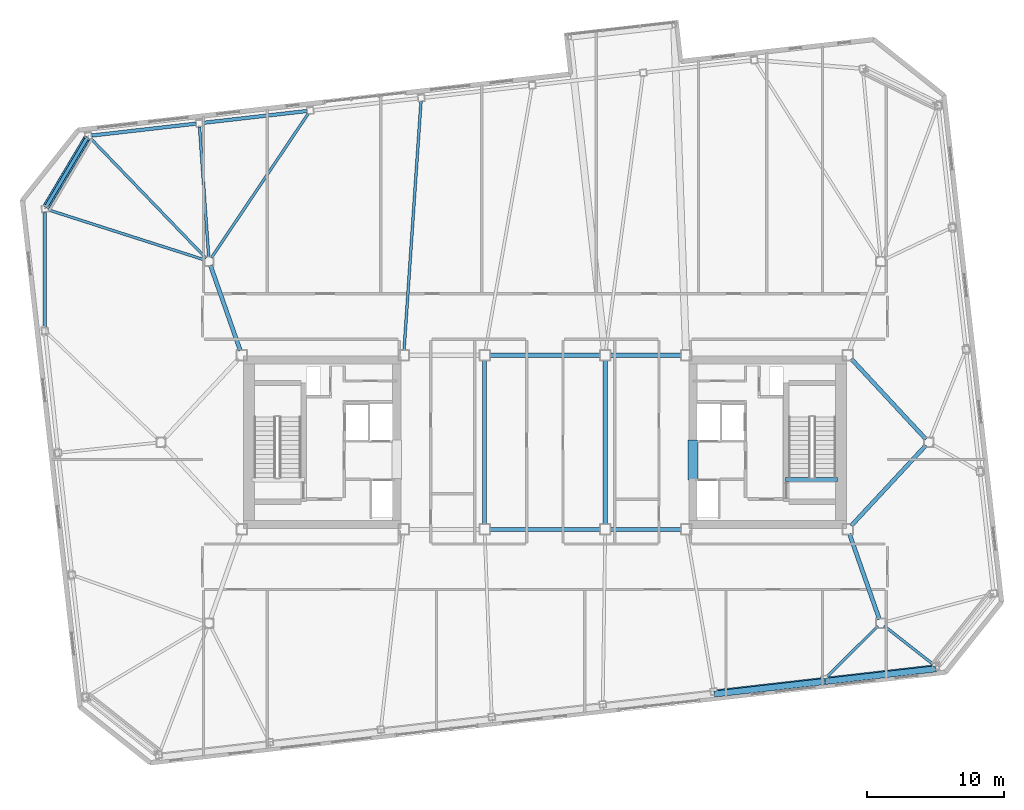
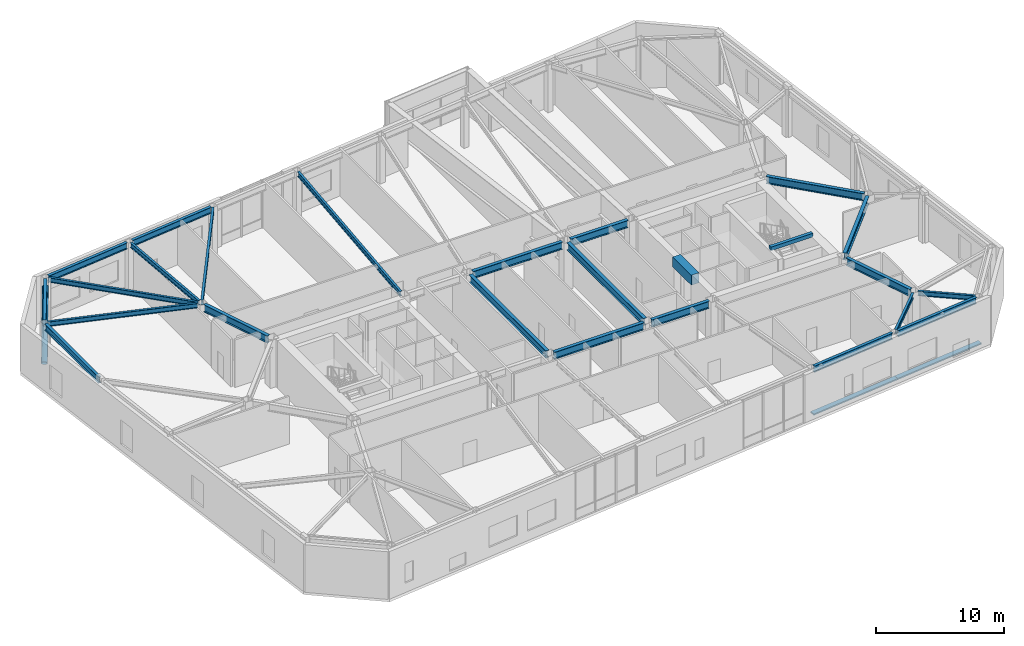
# One storey, part 9 of 21: 25 beams, 3 members.
"""IFC4 building model written with IfcOpenShell, lengths in metres."""

from ifc_helpers import new_model, si_unit, direction, frame, origin, origin_2d, place, context, subcontext, project, spatial, rectangle, hollow_circle, i_section, extrude, material, material_profile, profile_set, type_object, element, save


model = new_model("IFC4")

# Units and contexts
model_context = context("Model", 3, precision=1e-05, world=origin(), true_north=direction((0.0, 1.0)))
body_context = subcontext(model_context, "Body", "Model", "MODEL_VIEW")
ifc_project = project(units=[si_unit("LENGTHUNIT", "METRE"), si_unit("AREAUNIT", "SQUARE_METRE"), si_unit("VOLUMEUNIT", "CUBIC_METRE"), si_unit("PLANEANGLEUNIT", "RADIAN"), si_unit("MASSUNIT", "GRAM", prefix="KILO")], contexts=[model_context])

# Site, building, storey
site_placement = place(None, origin())
site = spatial("IfcSite", under=ifc_project, at=site_placement, CompositionType="ELEMENT")
building_placement = place(site_placement, origin())
building = spatial("IfcBuilding", under=site, at=building_placement, Name="Tavrogorsk Clinical Tower", CompositionType="ELEMENT")
storey_placement = place(building_placement, frame((0.0, 0.0, 238.199951171875)))
storey = spatial("IfcBuildingStorey", under=building, at=storey_placement, Name="L55", CompositionType="ELEMENT", Elevation=238.199951171875)

# Members
ifc_material_1 = material(Name="Anodised aluminium alloy AW-6063", Category="aluminium")
ifc_material_profile_1 = material_profile(ifc_material_1, rectangle(XDim=0.449951171875, YDim=0.1201171875, at=origin_2d()), Name="ALU-SUNSHADE-450x120")
ifc_profile_set_1 = profile_set([ifc_material_profile_1], Name="Anodised aluminium alloy AW-6063")
member_type_1 = type_object("IfcMemberType", Name="ChicagoSunshade_450x120", PredefinedType="USERDEFINED", material=ifc_profile_set_1)
for number, where, z_axis, x_axis, name in (
    (1, (12.336669921875, -18.369140625, 0.179931640625), (0.99356960656, 0.11322295227, 0.0), (-0.11322295227, 0.99356960656, 0.0), "L55 South Aluminium Sunshade S6"),
    (2, (20.432861328125, -17.446533203125, 0.179931640625), (0.9935729766, 0.113193375116, 0.0), (-0.113193375116, 0.9935729766, 0.0), "L55 South Aluminium Sunshade S7"),
):
    element("IfcMember", number, at=place(storey_placement, frame(where, z_axis=z_axis, x_axis=x_axis)), inside=storey, type_object=member_type_1, Name=name, ObjectType="SUNSHADE", PredefinedType="USERDEFINED", context=body_context, shape_type="SweptSolid", body=[
        extrude(rectangle(XDim=0.449951171875, YDim=0.1201171875, at=origin_2d()), origin(), (0.0, 0.0, 1.0), 8.148681640625),
    ])

# Beam
ifc_material_2 = material(Name="Concrete B80", Category="concrete")
ifc_material_profile_2 = material_profile(ifc_material_2, rectangle(XDim=0.699951171875, YDim=0.949951171875, at=origin_2d()), Name="RC-CB-700x950")
ifc_profile_set_2 = profile_set([ifc_material_profile_2], Name="Concrete B80")
beam_type_1 = type_object("IfcBeamType", Name="CouplingBeam_RC700x950", PredefinedType="LINTEL", material=ifc_profile_set_2)
beam_1_placement = place(storey_placement, frame((10.800048828125, -2.75, 4.06494140625), z_axis=(0.0, 1.0, 0.0), x_axis=(-1.0, 0.0, 0.0)))
element("IfcBeam", 3, at=beam_1_placement, inside=storey, type_object=beam_type_1, Name="L55 Core East Coupling Beam", PredefinedType="LINTEL", context=body_context, shape_type="SweptSolid", body=[
    extrude(rectangle(XDim=0.699951171875, YDim=0.949951171875, at=origin_2d()), origin(), (0.0, 0.0, 1.0), 2.89990234375),
])

# Member
ifc_material_3 = material(Name="Structural steel S440", Category="steel")
ifc_material_profile_3 = material_profile(ifc_material_3, hollow_circle(Radius=0.25390625, WallThickness=0.02001953125, at=origin_2d()), Name="CHS-508x20")
ifc_profile_set_3 = profile_set([ifc_material_profile_3], Name="Structural steel S440")
member_type_2 = type_object("IfcMemberType", Name="ExoBrace_CHS508", PredefinedType="BRACE", material=ifc_profile_set_3)
member_placement = place(storey_placement, frame((-36.35595703125, 17.224609375, 0.4296875), z_axis=(0.442252076648, 0.74312336042, 0.502176036763), x_axis=(-0.859335196558, 0.511412768668, 0.0)))
element("IfcMember", 4, at=member_placement, inside=storey, type_object=member_type_2, Name="L55 Corner Exoskeleton Brace N8-W1", PredefinedType="BRACE", context=body_context, shape_type="SweptSolid", body=[
    extrude(hollow_circle(Radius=0.25390625, WallThickness=0.02001953125, at=origin_2d()), origin(), (0.0, 0.0, 1.0), 6.6328125),
])

# Beams
ifc_material_4 = material(Name="Structural steel S355", Category="steel")
ifc_material_profile_4 = material_profile(ifc_material_4, i_section(OverallWidth=0.199951171875, OverallDepth=0.449951171875, WebThickness=0.011474609375, FlangeThickness=0.01806640625, at=origin_2d()), Name="B-450x200x11.5x18")
ifc_profile_set_4 = profile_set([ifc_material_profile_4], Name="Structural steel S355")
beam_type_2 = type_object("IfcBeamType", Name="FloorBeam_B450", PredefinedType="BEAM", material=ifc_profile_set_4)
beam_2_placement = place(storey_placement, frame((24.2802734375, -13.418701171875, 4.31494140625), z_axis=(-0.708842234901, -0.705367057652, 0.0), x_axis=(0.705367057652, -0.708842234901, 0.0)))
element("IfcBeam", 5, at=beam_2_placement, inside=storey, type_object=beam_type_2, Name="L55 Radial Floor Beam S7", PredefinedType="BEAM", context=body_context, shape_type="SweptSolid", body=[
    extrude(i_section(OverallWidth=0.199951171875, OverallDepth=0.449951171875, WebThickness=0.011474609375, FlangeThickness=0.01806640625, at=origin_2d()), origin(), (0.0, 0.0, 1.0), 5.19873046875),
])
beam_3_placement = place(storey_placement, frame((24.743896484375, -13.391357421875, 4.31494140625), z_axis=(0.786731711527, -0.617295078611, 0.0), x_axis=(0.617295078611, 0.786731711527, 0.0)))
element("IfcBeam", 6, at=beam_3_placement, inside=storey, type_object=beam_type_2, Name="L55 Radial Floor Beam S8", PredefinedType="BEAM", context=body_context, shape_type="SweptSolid", body=[
    extrude(i_section(OverallWidth=0.199951171875, OverallDepth=0.449951171875, WebThickness=0.011474609375, FlangeThickness=0.01806640625, at=origin_2d()), origin(), (0.0, 0.0, 1.0), 4.52734375),
])
beam_4_placement = place(storey_placement, frame((-10.275390625, 6.709228515625, 4.31494140625), z_axis=(0.068054861188, 0.9976815804, 0.0), x_axis=(-0.9976815804, 0.068054861188, 0.0)))
element("IfcBeam", 7, at=beam_4_placement, inside=storey, type_object=beam_type_2, Name="L55 Radial Floor Beam N5", PredefinedType="BEAM", context=body_context, shape_type="SweptSolid", body=[
    extrude(i_section(OverallWidth=0.199951171875, OverallDepth=0.449951171875, WebThickness=0.011474609375, FlangeThickness=0.01806640625, at=origin_2d()), origin(), (0.0, 0.0, 1.0), 18.188232421875),
])
beam_5_placement = place(storey_placement, frame((-24.3271484375, 13.457275390625, 4.31494140625), z_axis=(0.557666552953, 0.830065067159, 0.0), x_axis=(-0.830065067159, 0.557666552953, 0.0)))
element("IfcBeam", 8, at=beam_5_placement, inside=storey, type_object=beam_type_2, Name="L55 Radial Floor Beam N6", PredefinedType="BEAM", context=body_context, shape_type="SweptSolid", body=[
    extrude(i_section(OverallWidth=0.199951171875, OverallDepth=0.449951171875, WebThickness=0.011474609375, FlangeThickness=0.01806640625, at=origin_2d()), origin(), (0.0, 0.0, 1.0), 12.67236328125),
])
beam_6_placement = place(storey_placement, frame((-24.52197265625, 13.50927734375, 4.31494140625), z_axis=(-0.070563956086, 0.997507257167, 0.0), x_axis=(-0.997507257167, -0.070563956086, 0.0)))
element("IfcBeam", 9, at=beam_6_placement, inside=storey, type_object=beam_type_2, Name="L55 Radial Floor Beam N7", PredefinedType="BEAM", context=body_context, shape_type="SweptSolid", body=[
    extrude(i_section(OverallWidth=0.199951171875, OverallDepth=0.449951171875, WebThickness=0.011474609375, FlangeThickness=0.01806640625, at=origin_2d()), origin(), (0.0, 0.0, 1.0), 9.52490234375),
])
beam_7_placement = place(storey_placement, frame((-24.715087890625, 13.42333984375, 4.31494140625), z_axis=(-0.69371826835, 0.720246460704, 0.0), x_axis=(-0.720246460704, -0.69371826835, 0.0)))
element("IfcBeam", 10, at=beam_7_placement, inside=storey, type_object=beam_type_2, Name="L55 Radial Floor Beam N8", PredefinedType="BEAM", context=body_context, shape_type="SweptSolid", body=[
    extrude(i_section(OverallWidth=0.199951171875, OverallDepth=0.449951171875, WebThickness=0.011474609375, FlangeThickness=0.01806640625, at=origin_2d()), origin(), (0.0, 0.0, 1.0), 12.129638671875),
])
beam_8_placement = place(storey_placement, frame((-24.795166015625, 13.29443359375, 4.31494140625), z_axis=(-0.952367912824, 0.304951403709, 0.0), x_axis=(-0.304951403709, -0.952367912824, 0.0)))
element("IfcBeam", 11, at=beam_8_placement, inside=storey, type_object=beam_type_2, Name="L55 Radial Floor Beam W1", PredefinedType="BEAM", context=body_context, shape_type="SweptSolid", body=[
    extrude(i_section(OverallWidth=0.199951171875, OverallDepth=0.449951171875, WebThickness=0.011474609375, FlangeThickness=0.01806640625, at=origin_2d()), origin(), (0.0, 0.0, 1.0), 12.000732421875),
])
ifc_material_5 = material(Name="Structural steel S390", Category="steel")
ifc_material_profile_5 = material_profile(ifc_material_5, i_section(OverallWidth=0.300048828125, OverallDepth=0.699951171875, WebThickness=0.01708984375, FlangeThickness=0.028076171875, at=origin_2d()), Name="B-700x300x17x28")
ifc_profile_set_5 = profile_set([ifc_material_profile_5], Name="Structural steel S390")
beam_type_3 = type_object("IfcBeamType", Name="PrimaryGirder_B700", PredefinedType="USERDEFINED", material=ifc_profile_set_5)
for number, where, z_axis, x_axis, name in (
    (12, (-4.0400390625, -6.35009765625, 4.18994140625), (1.0, 0.0, 0.0), (0.0, 1.0, 0.0), "L55 Primary Spine Girder MG-03"),
    (13, (-4.0400390625, 6.35009765625, 4.18994140625), (1.0, 0.0, 0.0), (0.0, 1.0, 0.0), "L55 Primary Spine Girder MG-04"),
):
    element("IfcBeam", number, at=place(storey_placement, frame(where, z_axis=z_axis, x_axis=x_axis)), inside=storey, type_object=beam_type_3, Name=name, ObjectType="GIRDER", PredefinedType="USERDEFINED", context=body_context, shape_type="SweptSolid", body=[
        extrude(i_section(OverallWidth=0.300048828125, OverallDepth=0.699951171875, WebThickness=0.01708984375, FlangeThickness=0.028076171875, at=origin_2d()), origin(), (0.0, 0.0, 1.0), 8.080078125),
    ])
for number, where, z_axis, x_axis, name in (
    (14, (4.760009765625, -6.35009765625, 4.18994140625), (1.0, 0.0, 0.0), (0.0, 1.0, 0.0), "L55 Primary Spine Girder MG-05"),
    (15, (4.760009765625, 6.35009765625, 4.18994140625), (1.0, 0.0, 0.0), (0.0, 1.0, 0.0), "L55 Primary Spine Girder MG-06"),
):
    element("IfcBeam", number, at=place(storey_placement, frame(where, z_axis=z_axis, x_axis=x_axis)), inside=storey, type_object=beam_type_3, Name=name, ObjectType="GIRDER", PredefinedType="USERDEFINED", context=body_context, shape_type="SweptSolid", body=[
        extrude(i_section(OverallWidth=0.300048828125, OverallDepth=0.699951171875, WebThickness=0.01708984375, FlangeThickness=0.028076171875, at=origin_2d()), origin(), (0.0, 0.0, 1.0), 5.179931640625),
    ])
for number, where, z_axis, x_axis, name in (
    (16, (-4.39990234375, -5.989990234375, 4.18994140625), (0.0, 1.0, 0.0), (-1.0, 0.0, 0.0), "L55 Primary Spine Girder MG-07"),
    (17, (4.39990234375, -5.989990234375, 4.18994140625), (0.0, 1.0, 0.0), (-1.0, 0.0, 0.0), "L55 Primary Spine Girder MG-08"),
):
    element("IfcBeam", number, at=place(storey_placement, frame(where, z_axis=z_axis, x_axis=x_axis)), inside=storey, type_object=beam_type_3, Name=name, ObjectType="GIRDER", PredefinedType="USERDEFINED", context=body_context, shape_type="SweptSolid", body=[
        extrude(i_section(OverallWidth=0.300048828125, OverallDepth=0.699951171875, WebThickness=0.01708984375, FlangeThickness=0.028076171875, at=origin_2d()), origin(), (0.0, 0.0, 1.0), 11.97998046875),
    ])
for number, where, z_axis, x_axis, name in (
    (18, (24.3974609375, -12.907470703125, 4.18994140625), (-0.330654121425, 0.943752007672, 0.0), (-0.943752007672, -0.330654121425, 0.0), "L55 Spine Link Girder OPG-2"),
    (19, (-24.3974609375, 12.907470703125, 4.18994140625), (0.330654121425, -0.943752007672, 0.0), (0.943752007672, 0.330654121425, 0.0), "L55 Spine Link Girder OPG-3"),
):
    element("IfcBeam", number, at=place(storey_placement, frame(where, z_axis=z_axis, x_axis=x_axis)), inside=storey, type_object=beam_type_3, Name=name, ObjectType="GIRDER", PredefinedType="USERDEFINED", context=body_context, shape_type="SweptSolid", body=[
        extrude(i_section(OverallWidth=0.300048828125, OverallDepth=0.699951171875, WebThickness=0.01708984375, FlangeThickness=0.028076171875, at=origin_2d()), origin(), (0.0, 0.0, 1.0), 6.58837890625),
    ])
for number, where, z_axis, x_axis, name in (
    (20, (27.7890625, -0.22705078125, 4.18994140625), (-0.680684060959, -0.732577101168, 0.0), (0.732577101168, -0.680684060959, 0.0), "L55 Spine Link Girder OPG-7"),
    (21, (27.7890625, 0.22705078125, 4.18994140625), (-0.680684060959, 0.732577101168, 0.0), (-0.732577101168, -0.680684060959, 0.0), "L55 Spine Link Girder OPG-8"),
):
    element("IfcBeam", number, at=place(storey_placement, frame(where, z_axis=z_axis, x_axis=x_axis)), inside=storey, type_object=beam_type_3, Name=name, ObjectType="GIRDER", PredefinedType="USERDEFINED", context=body_context, shape_type="SweptSolid", body=[
        extrude(i_section(OverallWidth=0.300048828125, OverallDepth=0.699951171875, WebThickness=0.01708984375, FlangeThickness=0.028076171875, at=origin_2d()), origin(), (0.0, 0.0, 1.0), 7.998046875),
    ])
ifc_material_6 = material(Name="Structural steel S390", Category="steel")
ifc_material_profile_6 = material_profile(ifc_material_6, i_section(OverallWidth=0.260009765625, OverallDepth=0.60009765625, WebThickness=0.014892578125, FlangeThickness=0.02392578125, at=origin_2d()), Name="B-600x260x15x24")
ifc_profile_set_6 = profile_set([ifc_material_profile_6], Name="Structural steel S390")
beam_type_4 = type_object("IfcBeamType", Name="SpandrelBeam_B600", PredefinedType="SPANDREL", material=ifc_profile_set_6)
beam_9_placement = place(storey_placement, frame((12.57275390625, -18.1611328125, 4.239990234375), z_axis=(0.993571689921, 0.113204668576, 0.0), x_axis=(-0.113204668576, 0.993571689921, 0.0)))
element("IfcBeam", 22, at=beam_9_placement, inside=storey, type_object=beam_type_4, Name="L55 Perimeter Spandrel S6-S7", PredefinedType="SPANDREL", context=body_context, shape_type="SweptSolid", body=[
    extrude(i_section(OverallWidth=0.260009765625, OverallDepth=0.60009765625, WebThickness=0.014892578125, FlangeThickness=0.02392578125, at=origin_2d()), origin(), (0.0, 0.0, 1.0), 7.63232421875),
])
for number, where, z_axis, x_axis, name in (
    (23, (20.668701171875, -17.238525390625, 4.239990234375), (0.993572099834, 0.113201070804, 0.0), (-0.113201070804, 0.993572099834, 0.0), "L55 Perimeter Spandrel S7-S8"),
    (24, (-17.37255859375, 24.1611328125, 4.239990234375), (-0.993572099834, -0.113201070804, 0.0), (0.113201070804, -0.993572099834, 0.0), "L55 Perimeter Spandrel N6-N7"),
    (25, (-25.46875, 23.238525390625, 4.239990234375), (-0.993572099834, -0.113201070804, 0.0), (0.113201070804, -0.993572099834, 0.0), "L55 Perimeter Spandrel N7-N8"),
):
    element("IfcBeam", number, at=place(storey_placement, frame(where, z_axis=z_axis, x_axis=x_axis)), inside=storey, type_object=beam_type_4, Name=name, PredefinedType="SPANDREL", context=body_context, shape_type="SweptSolid", body=[
        extrude(i_section(OverallWidth=0.260009765625, OverallDepth=0.60009765625, WebThickness=0.014892578125, FlangeThickness=0.02392578125, at=origin_2d()), origin(), (0.0, 0.0, 1.0), 7.632568359375),
    ])
beam_10_placement = place(storey_placement, frame((-33.4404296875, 22.123779296875, 4.239990234375), z_axis=(-0.51140659222, -0.859338872293, 0.0), x_axis=(0.859338872293, -0.51140659222, 0.0)))
element("IfcBeam", 26, at=beam_10_placement, inside=storey, type_object=beam_type_4, Name="L55 Perimeter Spandrel N8-W1", PredefinedType="SPANDREL", context=body_context, shape_type="SweptSolid", body=[
    extrude(i_section(OverallWidth=0.260009765625, OverallDepth=0.60009765625, WebThickness=0.014892578125, FlangeThickness=0.02392578125, at=origin_2d()), origin(), (0.0, 0.0, 1.0), 5.666259765625),
])
beam_11_placement = place(storey_placement, frame((-36.469970703125, 16.77490234375, 4.239990234375), z_axis=(0.0, -1.0, 0.0), x_axis=(1.0, 0.0, 0.0)))
element("IfcBeam", 27, at=beam_11_placement, inside=storey, type_object=beam_type_4, Name="L55 Perimeter Spandrel W1-W2", PredefinedType="SPANDREL", context=body_context, shape_type="SweptSolid", body=[
    extrude(i_section(OverallWidth=0.260009765625, OverallDepth=0.60009765625, WebThickness=0.014892578125, FlangeThickness=0.02392578125, at=origin_2d()), origin(), (0.0, 0.0, 1.0), 8.386474609375),
])
ifc_material_7 = material(Name="Concrete B60", Category="concrete")
ifc_material_profile_7 = material_profile(ifc_material_7, rectangle(XDim=0.300048828125, YDim=0.35009765625, at=origin_2d()), Name="RC-SHB-300x350")
ifc_profile_set_7 = profile_set([ifc_material_profile_7], Name="Concrete B60")
beam_type_5 = type_object("IfcBeamType", Name="StairHeaderBeam_RC300x350", PredefinedType="BEAM", material=ifc_profile_set_7)
beam_12_placement = place(storey_placement, frame((17.550048828125, -2.719970703125, 4.625), z_axis=(1.0, 0.0, 0.0), x_axis=(0.0, 1.0, 0.0)))
element("IfcBeam", 28, at=beam_12_placement, inside=storey, type_object=beam_type_5, Name="L56 ST-E Landing Header Beam", PredefinedType="BEAM", context=body_context, shape_type="SweptSolid", body=[
    extrude(rectangle(XDim=0.300048828125, YDim=0.35009765625, at=origin_2d()), origin(), (0.0, 0.0, 1.0), 3.800048828125),
])

save(model, "model.ifc")
